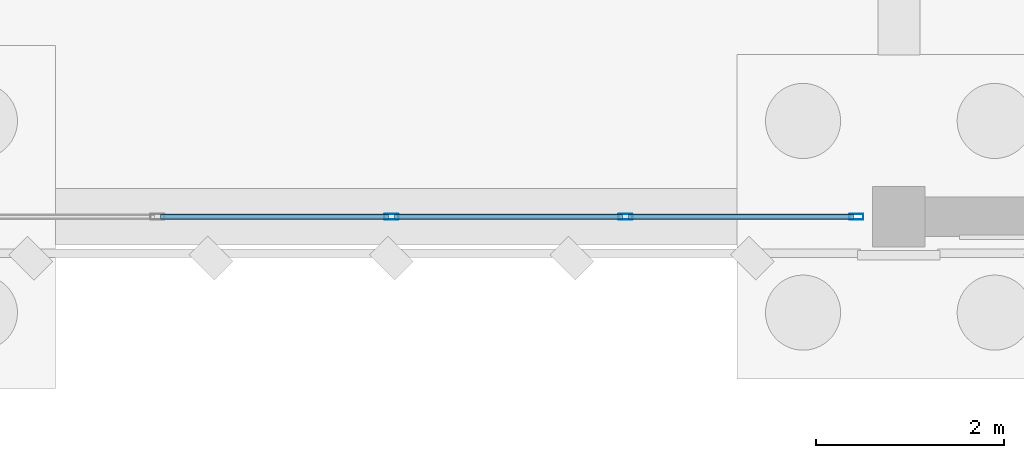
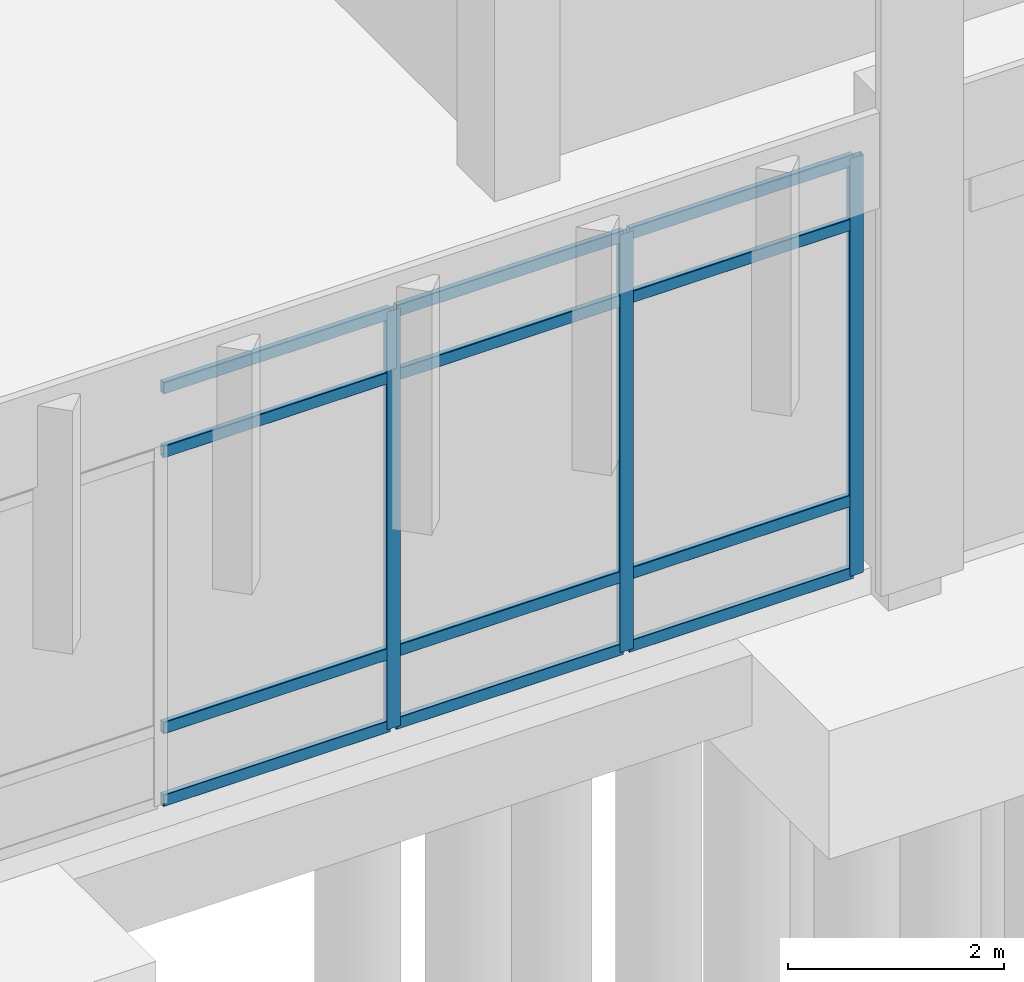
# One storey, part 46 of 109: 15 members, 1 element without a shape of its own.
"""IFC4 building model written with IfcOpenShell, lengths in metres."""

from ifc_helpers import new_model, si_unit, direction, frame, origin, origin_2d, place, context, subcontext, project, spatial, hollow_rectangle, extrude, material, material_profile, profile_set, type_object, element, aggregate, save


model = new_model("IFC4")

# Units and contexts
model_context = context("Model", 3, precision=1e-05, world=origin(), true_north=direction((0.0, 1.0)))
body_context = subcontext(model_context, "Body", "Model", "MODEL_VIEW")
ifc_project = project(units=[si_unit("LENGTHUNIT", "METRE"), si_unit("AREAUNIT", "SQUARE_METRE"), si_unit("VOLUMEUNIT", "CUBIC_METRE"), si_unit("PLANEANGLEUNIT", "RADIAN"), si_unit("MASSUNIT", "GRAM", prefix="KILO")], contexts=[model_context])

# Site, building, storey
site_placement = place(None, origin())
site = spatial("IfcSite", under=ifc_project, at=site_placement, CompositionType="ELEMENT")
building_placement = place(site_placement, origin())
building = spatial("IfcBuilding", under=site, at=building_placement, Name="Lusvemor Sports Hall", CompositionType="ELEMENT")
storey_placement = place(building_placement, origin())
storey = spatial("IfcBuildingStorey", under=building, at=storey_placement, Name="L00", CompositionType="ELEMENT", Elevation=0.0)

# Curtain wall, members
ifc_material_1 = material(Name="Thermally broken bronze-anodized aluminium", Category="aluminium")
curtain_wall_type = type_object("IfcCurtainWallType", Name="CW_WING_B", PredefinedType="NOTDEFINED", material=ifc_material_1)
curtain_wall_placement = place(storey_placement, origin())
curtain_wall = element("IfcCurtainWall", 1, at=curtain_wall_placement, inside=storey, type_object=curtain_wall_type, Name="Curtain Wall CW-L00-S-3-2", PredefinedType="NOTDEFINED")
ifc_material_2 = material(Name="Thermally broken bronze-anodized aluminium", Category="aluminium")
ifc_material_profile_1 = material_profile(ifc_material_2, hollow_rectangle(XDim=0.06494140625, YDim=0.14990234375, WallThickness=0.00390625, InnerFilletRadius=0.00390625, OuterFilletRadius=0.008056640625, at=origin_2d()), Name="CWMUL150x65x4")
ifc_profile_set_1 = profile_set([ifc_material_profile_1], Name="Thermally broken bronze-anodized aluminium")
member_type_1 = type_object("IfcMemberType", Name="CW_MUL_B", PredefinedType="MULLION", material=ifc_profile_set_1)
member_1_placement = place(storey_placement, frame((53.547607421875, 97.199951171875, 0.0), z_axis=(0.0, 0.0, 1.0), x_axis=(0.0, -1.0, 0.0)))
member_1 = element("IfcMember", 2, at=member_1_placement, type_object=member_type_1, Name="CW02 mullion 1", PredefinedType="MULLION", context=body_context, shape_type="SweptSolid", body=[
    extrude(hollow_rectangle(XDim=0.06494140625, YDim=0.14990234375, WallThickness=0.00390625, InnerFilletRadius=0.00390625, OuterFilletRadius=0.008056640625, at=origin_2d()), origin(), (0.0, 0.0, 1.0), 4.719970703125),
])
member_2_placement = place(storey_placement, frame((51.090087890625, 97.199951171875, 0.0), z_axis=(0.0, 0.0, 1.0), x_axis=(0.0, -1.0, 0.0)))
member_2 = element("IfcMember", 3, at=member_2_placement, type_object=member_type_1, Name="CW02 mullion 2", PredefinedType="MULLION", context=body_context, shape_type="SweptSolid", body=[
    extrude(hollow_rectangle(XDim=0.06494140625, YDim=0.14990234375, WallThickness=0.00390625, InnerFilletRadius=0.00390625, OuterFilletRadius=0.008056640625, at=origin_2d()), origin(), (0.0, 0.0, 1.0), 4.719970703125),
])
member_3_placement = place(storey_placement, frame((48.60009765625, 97.199951171875, 0.0), z_axis=(0.0, 0.0, 1.0), x_axis=(0.0, -1.0, 0.0)))
member_3 = element("IfcMember", 4, at=member_3_placement, type_object=member_type_1, Name="CW02 mullion 3", PredefinedType="MULLION", context=body_context, shape_type="SweptSolid", body=[
    extrude(hollow_rectangle(XDim=0.06494140625, YDim=0.14990234375, WallThickness=0.00390625, InnerFilletRadius=0.00390625, OuterFilletRadius=0.008056640625, at=origin_2d()), origin(), (0.0, 0.0, 1.0), 4.719970703125),
])
ifc_material_3 = material(Name="Thermally broken bronze-anodized aluminium", Category="aluminium")
ifc_material_profile_2 = material_profile(ifc_material_3, hollow_rectangle(XDim=0.06005859375, YDim=0.135009765625, WallThickness=0.00390625, InnerFilletRadius=0.00390625, OuterFilletRadius=0.008056640625, at=origin_2d()), Name="CWTRN135x60x4")
ifc_profile_set_2 = profile_set([ifc_material_profile_2], Name="Thermally broken bronze-anodized aluminium")
member_type_2 = type_object("IfcMemberType", Name="CW_TRN_B", PredefinedType="USERDEFINED", material=ifc_profile_set_2)
member_4_placement = place(storey_placement, frame((53.514892578125, 97.199951171875, 0.030029296875), z_axis=(-1.0, 0.0, 0.0), x_axis=(0.0, -1.0, 0.0)))
member_4 = element("IfcMember", 5, at=member_4_placement, type_object=member_type_2, Name="CW02 transom 1.1", ObjectType="TRANSOM", PredefinedType="USERDEFINED", context=body_context, shape_type="SweptSolid", body=[
    extrude(hollow_rectangle(XDim=0.06005859375, YDim=0.135009765625, WallThickness=0.00390625, InnerFilletRadius=0.00390625, OuterFilletRadius=0.008056640625, at=origin_2d()), origin(), (0.0, 0.0, 1.0), 2.392333984375),
])
member_5_placement = place(storey_placement, frame((53.514892578125, 97.199951171875, 0.85009765625), z_axis=(-1.0, 0.0, 0.0), x_axis=(0.0, -1.0, 0.0)))
member_5 = element("IfcMember", 6, at=member_5_placement, type_object=member_type_2, Name="CW02 transom 1.2", ObjectType="TRANSOM", PredefinedType="USERDEFINED", context=body_context, shape_type="SweptSolid", body=[
    extrude(hollow_rectangle(XDim=0.06005859375, YDim=0.135009765625, WallThickness=0.00390625, InnerFilletRadius=0.00390625, OuterFilletRadius=0.008056640625, at=origin_2d()), origin(), (0.0, 0.0, 1.0), 2.392333984375),
])
member_6_placement = place(storey_placement, frame((53.514892578125, 97.199951171875, 3.969970703125), z_axis=(-1.0, 0.0, 0.0), x_axis=(0.0, -1.0, 0.0)))
member_6 = element("IfcMember", 7, at=member_6_placement, type_object=member_type_2, Name="CW02 transom 1.3", ObjectType="TRANSOM", PredefinedType="USERDEFINED", context=body_context, shape_type="SweptSolid", body=[
    extrude(hollow_rectangle(XDim=0.06005859375, YDim=0.135009765625, WallThickness=0.00390625, InnerFilletRadius=0.00390625, OuterFilletRadius=0.008056640625, at=origin_2d()), origin(), (0.0, 0.0, 1.0), 2.392333984375),
])
member_7_placement = place(storey_placement, frame((53.514892578125, 97.199951171875, 4.68994140625), z_axis=(-1.0, 0.0, 0.0), x_axis=(0.0, -1.0, 0.0)))
member_7 = element("IfcMember", 8, at=member_7_placement, type_object=member_type_2, Name="CW02 transom 1.4", ObjectType="TRANSOM", PredefinedType="USERDEFINED", context=body_context, shape_type="SweptSolid", body=[
    extrude(hollow_rectangle(XDim=0.06005859375, YDim=0.135009765625, WallThickness=0.00390625, InnerFilletRadius=0.00390625, OuterFilletRadius=0.008056640625, at=origin_2d()), origin(), (0.0, 0.0, 1.0), 2.392333984375),
])
member_8_placement = place(storey_placement, frame((51.0576171875, 97.199951171875, 0.030029296875), z_axis=(-1.0, 0.0, 0.0), x_axis=(0.0, -1.0, 0.0)))
member_8 = element("IfcMember", 9, at=member_8_placement, type_object=member_type_2, Name="CW02 transom 2.1", ObjectType="TRANSOM", PredefinedType="USERDEFINED", context=body_context, shape_type="SweptSolid", body=[
    extrude(hollow_rectangle(XDim=0.06005859375, YDim=0.135009765625, WallThickness=0.00390625, InnerFilletRadius=0.00390625, OuterFilletRadius=0.008056640625, at=origin_2d()), origin(), (0.0, 0.0, 1.0), 2.425048828125),
])
member_9_placement = place(storey_placement, frame((51.0576171875, 97.199951171875, 0.85009765625), z_axis=(-1.0, 0.0, 0.0), x_axis=(0.0, -1.0, 0.0)))
member_9 = element("IfcMember", 10, at=member_9_placement, type_object=member_type_2, Name="CW02 transom 2.2", ObjectType="TRANSOM", PredefinedType="USERDEFINED", context=body_context, shape_type="SweptSolid", body=[
    extrude(hollow_rectangle(XDim=0.06005859375, YDim=0.135009765625, WallThickness=0.00390625, InnerFilletRadius=0.00390625, OuterFilletRadius=0.008056640625, at=origin_2d()), origin(), (0.0, 0.0, 1.0), 2.425048828125),
])
member_10_placement = place(storey_placement, frame((51.0576171875, 97.199951171875, 3.969970703125), z_axis=(-1.0, 0.0, 0.0), x_axis=(0.0, -1.0, 0.0)))
member_10 = element("IfcMember", 11, at=member_10_placement, type_object=member_type_2, Name="CW02 transom 2.3", ObjectType="TRANSOM", PredefinedType="USERDEFINED", context=body_context, shape_type="SweptSolid", body=[
    extrude(hollow_rectangle(XDim=0.06005859375, YDim=0.135009765625, WallThickness=0.00390625, InnerFilletRadius=0.00390625, OuterFilletRadius=0.008056640625, at=origin_2d()), origin(), (0.0, 0.0, 1.0), 2.425048828125),
])
member_11_placement = place(storey_placement, frame((51.0576171875, 97.199951171875, 4.68994140625), z_axis=(-1.0, 0.0, 0.0), x_axis=(0.0, -1.0, 0.0)))
member_11 = element("IfcMember", 12, at=member_11_placement, type_object=member_type_2, Name="CW02 transom 2.4", ObjectType="TRANSOM", PredefinedType="USERDEFINED", context=body_context, shape_type="SweptSolid", body=[
    extrude(hollow_rectangle(XDim=0.06005859375, YDim=0.135009765625, WallThickness=0.00390625, InnerFilletRadius=0.00390625, OuterFilletRadius=0.008056640625, at=origin_2d()), origin(), (0.0, 0.0, 1.0), 2.425048828125),
])
member_12_placement = place(storey_placement, frame((48.5673828125, 97.199951171875, 0.030029296875), z_axis=(-1.0, 0.0, 0.0), x_axis=(0.0, -1.0, 0.0)))
member_12 = element("IfcMember", 13, at=member_12_placement, type_object=member_type_2, Name="CW02 transom 3.1", ObjectType="TRANSOM", PredefinedType="USERDEFINED", context=body_context, shape_type="SweptSolid", body=[
    extrude(hollow_rectangle(XDim=0.06005859375, YDim=0.135009765625, WallThickness=0.00390625, InnerFilletRadius=0.00390625, OuterFilletRadius=0.008056640625, at=origin_2d()), origin(), (0.0, 0.0, 1.0), 2.4248046875),
])
member_13_placement = place(storey_placement, frame((48.5673828125, 97.199951171875, 0.85009765625), z_axis=(-1.0, 0.0, 0.0), x_axis=(0.0, -1.0, 0.0)))
member_13 = element("IfcMember", 14, at=member_13_placement, type_object=member_type_2, Name="CW02 transom 3.2", ObjectType="TRANSOM", PredefinedType="USERDEFINED", context=body_context, shape_type="SweptSolid", body=[
    extrude(hollow_rectangle(XDim=0.06005859375, YDim=0.135009765625, WallThickness=0.00390625, InnerFilletRadius=0.00390625, OuterFilletRadius=0.008056640625, at=origin_2d()), origin(), (0.0, 0.0, 1.0), 2.4248046875),
])
member_14_placement = place(storey_placement, frame((48.5673828125, 97.199951171875, 3.969970703125), z_axis=(-1.0, 0.0, 0.0), x_axis=(0.0, -1.0, 0.0)))
member_14 = element("IfcMember", 15, at=member_14_placement, type_object=member_type_2, Name="CW02 transom 3.3", ObjectType="TRANSOM", PredefinedType="USERDEFINED", context=body_context, shape_type="SweptSolid", body=[
    extrude(hollow_rectangle(XDim=0.06005859375, YDim=0.135009765625, WallThickness=0.00390625, InnerFilletRadius=0.00390625, OuterFilletRadius=0.008056640625, at=origin_2d()), origin(), (0.0, 0.0, 1.0), 2.4248046875),
])
member_15_placement = place(storey_placement, frame((48.5673828125, 97.199951171875, 4.68994140625), z_axis=(-1.0, 0.0, 0.0), x_axis=(0.0, -1.0, 0.0)))
member_15 = element("IfcMember", 16, at=member_15_placement, type_object=member_type_2, Name="CW02 transom 3.4", ObjectType="TRANSOM", PredefinedType="USERDEFINED", context=body_context, shape_type="SweptSolid", body=[
    extrude(hollow_rectangle(XDim=0.06005859375, YDim=0.135009765625, WallThickness=0.00390625, InnerFilletRadius=0.00390625, OuterFilletRadius=0.008056640625, at=origin_2d()), origin(), (0.0, 0.0, 1.0), 2.4248046875),
])
aggregate(curtain_wall, [member_1, member_2, member_3, member_4, member_5, member_6, member_7, member_8, member_9, member_10, member_11, member_12, member_13, member_14, member_15])

save(model, "model.ifc")
